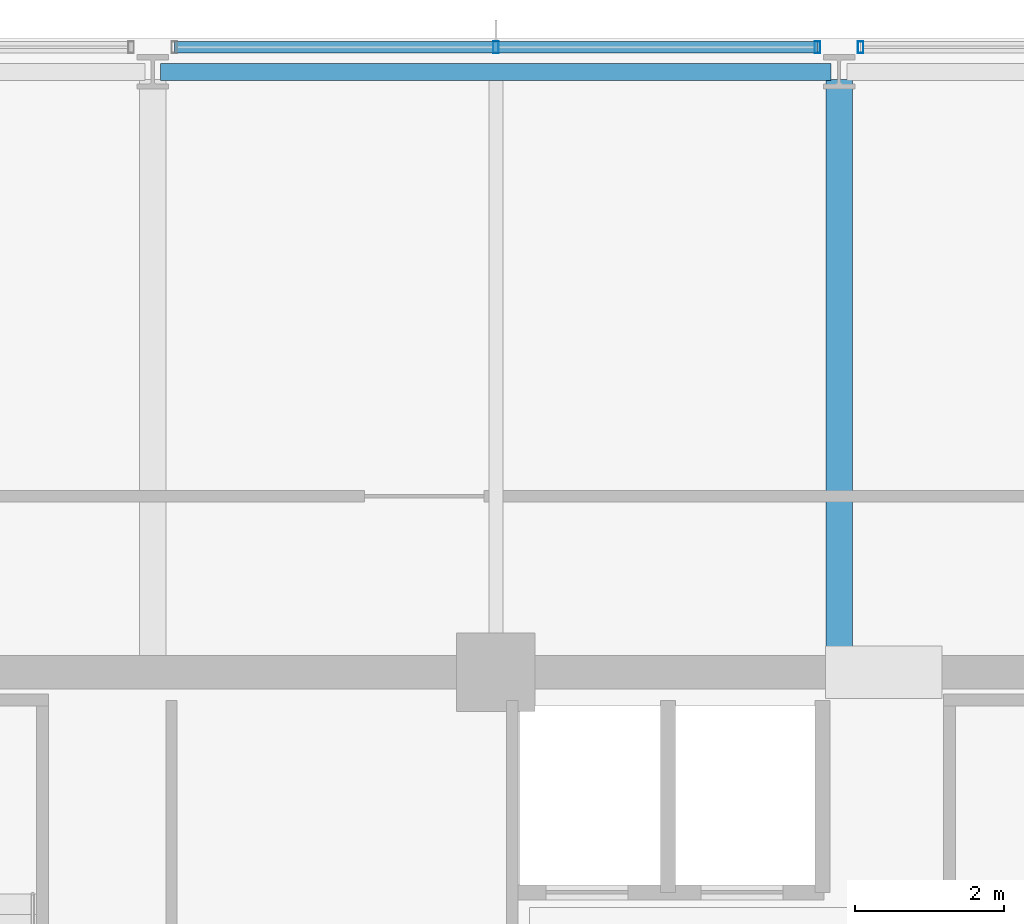
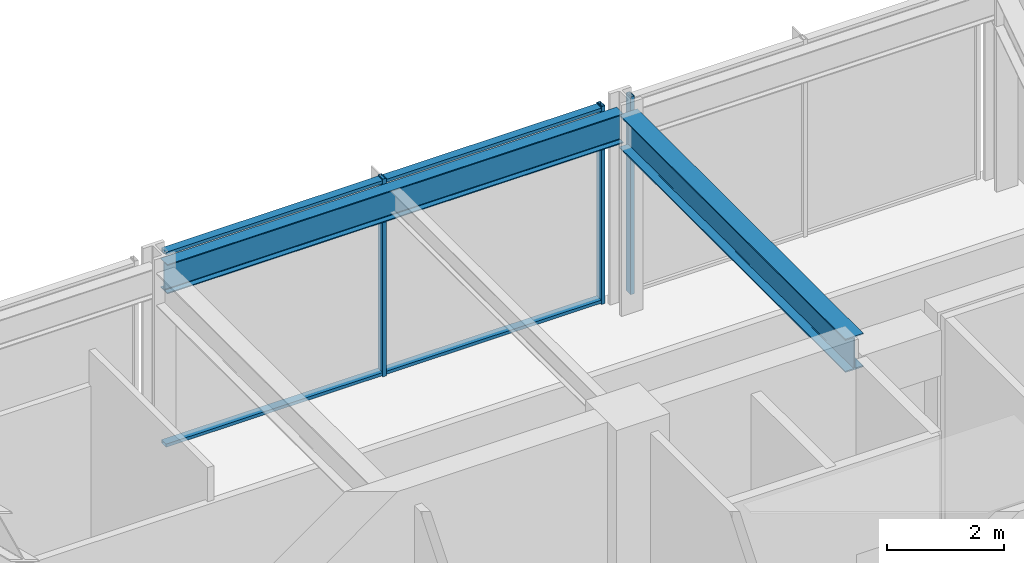
# One storey, part 16 of 26: 5 members, 2 beams, 2 elements without a shape of their own.
"""IFC4 building model written with IfcOpenShell, lengths in metres."""

import ifcopenshell
import ifcopenshell.guid

model = None  # the IFC model being written
_history = None  # IfcOwnerHistory: only IFC2X3 demands one
_inside = {}  # id of a spatial element -> (the spatial element, [elements in it])
_under = {}  # id of a project, library or spatial element -> (it, [spatial elements below it])
_declared = {}  # id of a project -> (the project, [libraries it declares])
_typed = {}  # id of a type object -> (the type object, [elements of that type])
_made_of = {}  # id of a material, layer set ... -> (it, [elements and type objects made of it])


def new_model(schema):
    """Start an empty IFC model of exactly this schema.

    Asked for "IFC4X3", IfcOpenShell would pick the latest addendum, in which some entities
    have other attributes; the version numbers below select the first issue.
    IFC2X3 requires an IfcOwnerHistory on every rooted entity: one is made here for all.
    """
    global model, _history
    if schema == "IFC4X3":
        model = ifcopenshell.file(schema_version=(4, 3, 0, 0))
    else:
        model = ifcopenshell.file(schema=schema)
    _inside.clear()
    _under.clear()
    _declared.clear()
    _typed.clear()
    _made_of.clear()
    _history = None
    if model.schema == "IFC2X3":
        org = make("IfcOrganization", Name="unknown")
        user = make(
            "IfcPersonAndOrganization",
            ThePerson=make("IfcPerson", FamilyName="unknown"),
            TheOrganization=org,
        )
        app = make(
            "IfcApplication",
            ApplicationDeveloper=org,
            Version="unknown",
            ApplicationFullName="unknown",
            ApplicationIdentifier="unknown",
        )
        _history = make(
            "IfcOwnerHistory",
            OwningUser=user,
            OwningApplication=app,
            ChangeAction="ADDED",
            CreationDate=0,
        )
    return model


def make(cls, **values):
    """One entity of the class cls with the attributes given. An attribute that is None is left unset."""
    return model.create_entity(
        cls, **{name: value for name, value in values.items() if value is not None}
    )


def rooted(cls, **values):
    """An entity with a GlobalId (a new one), such as an element, a storey or a relation."""
    return make(cls, GlobalId=ifcopenshell.guid.new(), OwnerHistory=_history, **values)


def si_unit(unit_type, name, prefix=None):
    """IfcSIUnit, for example si_unit("LENGTHUNIT", "METRE", prefix="MILLI")."""
    return make("IfcSIUnit", UnitType=unit_type, Prefix=prefix, Name=name)


def assignment(units):
    """IfcUnitAssignment: the units of a project."""
    return None if units is None else make("IfcUnitAssignment", Units=units)


def point(xyz):
    """IfcCartesianPoint."""
    return None if xyz is None else make("IfcCartesianPoint", Coordinates=xyz)


def direction(xyz):
    """IfcDirection."""
    return None if xyz is None else make("IfcDirection", DirectionRatios=xyz)


def frame(location, z_axis=None, x_axis=None):
    """IfcAxis2Placement3D, a coordinate frame: its origin and axes. An axis left out is left unset."""
    return make(
        "IfcAxis2Placement3D",
        Location=point(location),
        Axis=direction(z_axis),
        RefDirection=direction(x_axis),
    )


def frame_2d(location, x_axis=None):
    """IfcAxis2Placement2D, a coordinate frame in the plane: its origin and x axis."""
    return make(
        "IfcAxis2Placement2D", Location=point(location), RefDirection=direction(x_axis)
    )


def origin():
    """The frame at (0, 0, 0) with its axes left unset."""
    return frame((0.0, 0.0, 0.0))


def origin_2d():
    """The frame at (0, 0) in the plane with its x axis left unset."""
    return frame_2d((0.0, 0.0))


def place(relative_to, where):
    """IfcLocalPlacement: puts the frame where relative to a parent placement (None: the world)."""
    return make(
        "IfcLocalPlacement", PlacementRelTo=relative_to, RelativePlacement=where
    )


def context(
    kind, dimensions, precision=None, world=None, true_north=None, identifier=None
):
    """IfcGeometricRepresentationContext, for example the 3D "Model" context."""
    return make(
        "IfcGeometricRepresentationContext",
        ContextIdentifier=identifier,
        ContextType=kind,
        CoordinateSpaceDimension=dimensions,
        Precision=precision,
        WorldCoordinateSystem=world,
        TrueNorth=true_north,
    )


def subcontext(parent, identifier, kind, view, scale=None):
    """IfcGeometricRepresentationSubContext, for example "Body" below "Model"."""
    return make(
        "IfcGeometricRepresentationSubContext",
        ContextIdentifier=identifier,
        ContextType=kind,
        ParentContext=parent,
        TargetScale=scale,
        TargetView=view,
    )


def project(units=None, contexts=None):
    """IfcProject with its units and contexts."""
    return rooted(
        "IfcProject",
        Name="project",
        RepresentationContexts=contexts,
        UnitsInContext=assignment(units),
    )


def spatial(cls, under=None, at=None, **own):
    """A site, building, storey or space (cls), placed at a placement, below another one or the project."""
    s = rooted(cls, ObjectPlacement=at, **own)
    if under is not None:
        _under.setdefault(under.id(), (under, []))[1].append(s)
    return s


def profile(cls, at=None, kind="AREA", **sizes):
    """A parametric profile (cls). Its sizes go by their IFC names, for example OverallWidth=200.0."""
    return make(cls, ProfileType=kind, Position=at, **sizes)


def hollow_rectangle(**sizes):
    """IfcRectangleHollowProfileDef."""
    return profile("IfcRectangleHollowProfileDef", **sizes)


def i_section(**sizes):
    """IfcIShapeProfileDef."""
    return profile("IfcIShapeProfileDef", **sizes)


def extrude(swept, where, along, depth):
    """IfcExtrudedAreaSolid: the profile swept, set in the frame where, extruded along a direction by depth."""
    return make(
        "IfcExtrudedAreaSolid",
        SweptArea=swept,
        Position=where,
        ExtrudedDirection=direction(along),
        Depth=depth,
    )


def shape(context_of_items, identifier, shape_type, items):
    """IfcShapeRepresentation: the items that make up one representation, for example the "Body"."""
    return make(
        "IfcShapeRepresentation",
        ContextOfItems=context_of_items,
        RepresentationIdentifier=identifier,
        RepresentationType=shape_type,
        Items=items,
    )


def material(Name=None, Category=None):
    """IfcMaterial."""
    return make("IfcMaterial", Name=Name, Category=Category)


def material_profile(
    of_material, cross_section, Name=None, Category=None, Priority=None
):
    """IfcMaterialProfile: a cross section and its material."""
    return make(
        "IfcMaterialProfile",
        Name=Name,
        Material=of_material,
        Profile=cross_section,
        Priority=Priority,
        Category=Category,
    )


def profile_set(profiles, Name=None, composite=None):
    """IfcMaterialProfileSet."""
    return make(
        "IfcMaterialProfileSet",
        Name=Name,
        MaterialProfiles=profiles,
        CompositeProfile=composite,
    )


def made_of(thing, what):
    """Note that an element or type object is made of a material, layer set ...; save() writes the relation."""
    if what is not None:
        _made_of.setdefault(what.id(), (what, []))[1].append(thing)
    return thing


def type_object(cls, material=None, **own):
    """A type object (cls), such as IfcWallType, which elements share."""
    return made_of(rooted(cls, **own), material)


def element(
    cls,
    number,
    at=None,
    inside=None,
    cuts=None,
    type_object=None,
    material=None,
    context=None,
    identifier="Body",
    shape_type=None,
    held_by="IfcProductDefinitionShape",
    body=None,
    shapes=None,
    **own,
):
    """One element of the class cls, such as IfcWall. Its Tag is "e" and its number.

    at: its placement. inside: the storey or other place that contains it. cuts: it is an
    opening in that element (IfcRelVoidsElement). A single representation is given by context,
    identifier, shape_type and body (its items); several are given by shapes. held_by: the class
    of the entity that holds the representations. save() writes the other relations.
    """
    e = rooted(cls, Tag="e%d" % number, ObjectPlacement=at, **own)
    if body is not None:
        shapes = [shape(context, identifier, shape_type, body)]
    if shapes is not None:
        e.Representation = make(held_by, Representations=shapes)
    if inside is not None:
        _inside.setdefault(inside.id(), (inside, []))[1].append(e)
    if cuts is not None:
        rooted(
            "IfcRelVoidsElement", RelatingBuildingElement=cuts, RelatedOpeningElement=e
        )
    if type_object is not None:
        _typed.setdefault(type_object.id(), (type_object, []))[1].append(e)
    return made_of(e, material)


def aggregate(whole, parts):
    """IfcRelAggregates: a whole, such as a stair, and the parts it consists of."""
    return rooted("IfcRelAggregates", RelatingObject=whole, RelatedObjects=parts)


def save(model, path):
    """Write the relations noted so far, then the file.

    IfcRelAggregates (storeys below a building ...), IfcRelContainedInSpatialStructure (elements
    in a storey), IfcRelDefinesByType, IfcRelAssociatesMaterial and IfcRelDeclares: one each for
    every whole, place, type object, material and project.
    """
    for whole, parts in _under.values():
        aggregate(whole, parts)
    for where, things in _inside.values():
        rooted(
            "IfcRelContainedInSpatialStructure",
            RelatedElements=things,
            RelatingStructure=where,
        )
    for kind, things in _typed.values():
        rooted("IfcRelDefinesByType", RelatedObjects=things, RelatingType=kind)
    for what, things in _made_of.values():
        rooted("IfcRelAssociatesMaterial", RelatedObjects=things, RelatingMaterial=what)
    for by, libraries in _declared.values():
        rooted("IfcRelDeclares", RelatingContext=by, RelatedDefinitions=libraries)
    model.write(path)


model = new_model("IFC4")

# Units and contexts
model_context = context("Model", 3, precision=1e-05, world=origin(), true_north=direction((0.0, 1.0)))
body_context = subcontext(model_context, "Body", "Model", "MODEL_VIEW")
ifc_project = project(units=[si_unit("LENGTHUNIT", "METRE"), si_unit("AREAUNIT", "SQUARE_METRE"), si_unit("VOLUMEUNIT", "CUBIC_METRE"), si_unit("PLANEANGLEUNIT", "RADIAN"), si_unit("MASSUNIT", "GRAM", prefix="KILO")], contexts=[model_context])

# Site, building, storey
site_placement = place(None, origin())
site = spatial("IfcSite", under=ifc_project, at=site_placement, CompositionType="ELEMENT")
building_placement = place(site_placement, origin())
building = spatial("IfcBuilding", under=site, at=building_placement, Name="Kolvaren Belvedere", CompositionType="ELEMENT")
storey_placement = place(building_placement, frame((0.0, 0.0, 258.39990234375)))
storey = spatial("IfcBuildingStorey", under=building, at=storey_placement, Name="L75", CompositionType="ELEMENT", Elevation=258.39990234375)

# Beams
ifc_material_1 = material(Name="Structural steel ASTM A992 Grade 50", Category="steel")
ifc_material_profile_1 = material_profile(ifc_material_1, i_section(OverallWidth=0.35498046875, OverallDepth=0.696044921875, WebThickness=0.015380859375, FlangeThickness=0.02490234375, FilletRadius=0.02197265625, at=origin_2d()), Name="W27X146")
ifc_profile_set_1 = profile_set([ifc_material_profile_1], Name="Structural steel ASTM A992 Grade 50")
beam_type_1 = type_object("IfcBeamType", Name="BM-GIRD-W27X146", PredefinedType="BEAM", material=ifc_profile_set_1)
beam_1_placement = place(storey_placement, frame((4.60009765625, 10.125, 3.772216796875), z_axis=(0.0, 1.0, 0.0), x_axis=(-1.0, 0.0, 0.0)))
element("IfcBeam", 1, at=beam_1_placement, inside=storey, type_object=beam_type_1, Name="L75 North Radial Girder P", PredefinedType="BEAM", context=body_context, shape_type="SweptSolid", body=[
    extrude(i_section(OverallWidth=0.35498046875, OverallDepth=0.696044921875, WebThickness=0.015380859375, FlangeThickness=0.02490234375, FilletRadius=0.02197265625, at=origin_2d()), origin(), (0.0, 0.0, 1.0), 7.720458984375),
])
ifc_material_2 = material(Name="Structural steel ASTM A992 Grade 50", Category="steel")
ifc_material_profile_2 = material_profile(ifc_material_2, i_section(OverallWidth=0.22900390625, OverallDepth=0.612060546875, WebThickness=0.011962890625, FlangeThickness=0.01953125, FilletRadius=0.01806640625, at=origin_2d()), Name="W24X84")
ifc_profile_set_2 = profile_set([ifc_material_profile_2], Name="Structural steel ASTM A992 Grade 50")
beam_type_2 = type_object("IfcBeamType", Name="BM-SPAN-W24X84", PredefinedType="SPANDREL", material=ifc_profile_set_2)
beam_2_placement = place(storey_placement, frame((4.495361328125, 17.949951171875, 3.814208984375), z_axis=(-1.0, 0.0, 0.0), x_axis=(0.0, -1.0, 0.0)))
element("IfcBeam", 2, at=beam_2_placement, inside=storey, type_object=beam_type_2, Name="L75 Perimeter Spandrel N3-N2", PredefinedType="SPANDREL", context=body_context, shape_type="SweptSolid", body=[
    extrude(i_section(OverallWidth=0.22900390625, OverallDepth=0.612060546875, WebThickness=0.011962890625, FlangeThickness=0.01953125, FilletRadius=0.01806640625, at=origin_2d()), origin(), (0.0, 0.0, 1.0), 8.99072265625),
])

# Curtain wall, members
ifc_material_3 = material(Name="Anodised pale-metal aluminium AA 6063-T6", Category="aluminium")
curtain_wall_type = type_object("IfcCurtainWallType", Name="CW-CRN-OBS", PredefinedType="NOTDEFINED", material=ifc_material_3)
curtain_wall_1_placement = place(storey_placement, origin())
curtain_wall_1 = element("IfcCurtainWall", 3, at=curtain_wall_1_placement, inside=storey, type_object=curtain_wall_type, Name="L75 Unitised Curtain Wall FCW-L75-N-B2", PredefinedType="NOTDEFINED")
ifc_material_4 = material(Name="Anodised pale-metal aluminium AA 6063-T6", Category="aluminium")
ifc_material_profile_3 = material_profile(ifc_material_4, hollow_rectangle(XDim=0.074951171875, YDim=0.159912109375, WallThickness=0.00439453125, at=origin_2d()), Name="ALU-MUL-160X75")
ifc_profile_set_3 = profile_set([ifc_material_profile_3], Name="Anodised pale-metal aluminium AA 6063-T6")
member_type_1 = type_object("IfcMemberType", Name="CW-MUL-160", PredefinedType="MULLION", material=ifc_profile_set_3)
member_1_placement = place(storey_placement, frame((0.0, 18.280029296875, 0.0), z_axis=(0.0, 0.0, 1.0), x_axis=(1.0, 0.0, 0.0)))
member_1 = element("IfcMember", 4, at=member_1_placement, type_object=member_type_1, Name="FCW-L75-N-B2 Unitised Mullion 2", PredefinedType="MULLION", context=body_context, shape_type="SweptSolid", body=[
    extrude(hollow_rectangle(XDim=0.074951171875, YDim=0.159912109375, WallThickness=0.00439453125, at=origin_2d()), origin(), (0.0, 0.0, 1.0), 4.1201171875),
])
member_2_placement = place(storey_placement, frame((4.31005859375, 18.280029296875, 0.0), z_axis=(0.0, 0.0, 1.0), x_axis=(1.0, 0.0, 0.0)))
member_2 = element("IfcMember", 5, at=member_2_placement, type_object=member_type_1, Name="FCW-L75-N-B2 Unitised Mullion 3", PredefinedType="MULLION", context=body_context, shape_type="SweptSolid", body=[
    extrude(hollow_rectangle(XDim=0.074951171875, YDim=0.159912109375, WallThickness=0.00439453125, at=origin_2d()), origin(), (0.0, 0.0, 1.0), 4.1201171875),
])

# Curtain wall, member
curtain_wall_2_placement = place(storey_placement, origin())
curtain_wall_2 = element("IfcCurtainWall", 6, at=curtain_wall_2_placement, inside=storey, type_object=curtain_wall_type, Name="L75 Unitised Curtain Wall FCW-L75-N-B3", PredefinedType="NOTDEFINED")
member_3_placement = place(storey_placement, frame((4.889892578125, 18.280029296875, 0.0), z_axis=(0.0, 0.0, 1.0), x_axis=(1.0, 0.0, 0.0)))
member_3 = element("IfcMember", 7, at=member_3_placement, type_object=member_type_1, Name="FCW-L75-N-B3 Unitised Mullion 1", PredefinedType="MULLION", context=body_context, shape_type="SweptSolid", body=[
    extrude(hollow_rectangle(XDim=0.074951171875, YDim=0.159912109375, WallThickness=0.00439453125, at=origin_2d()), origin(), (0.0, 0.0, 1.0), 4.1201171875),
])
aggregate(curtain_wall_2, [member_3])

# Member
ifc_material_5 = material(Name="Anodised pale-metal aluminium AA 6063-T6", Category="aluminium")
ifc_material_profile_4 = material_profile(ifc_material_5, hollow_rectangle(XDim=0.06494140625, YDim=0.159912109375, WallThickness=0.00390625, at=origin_2d()), Name="ALU-TRN-160X65")
ifc_profile_set_4 = profile_set([ifc_material_profile_4], Name="Anodised pale-metal aluminium AA 6063-T6")
member_type_2 = type_object("IfcMemberType", Name="CW-TRN-160", PredefinedType="USERDEFINED", material=ifc_profile_set_4)
member_4_placement = place(storey_placement, frame((-4.31005859375, 18.280029296875, 0.06005859375), z_axis=(1.0, 0.0, 0.0), x_axis=(0.0, 0.0, 1.0)))
member_4 = element("IfcMember", 8, at=member_4_placement, type_object=member_type_2, Name="FCW-L75-N-B2 Sill Transom", ObjectType="TRANSOM", PredefinedType="USERDEFINED", context=body_context, shape_type="SweptSolid", body=[
    extrude(hollow_rectangle(XDim=0.06494140625, YDim=0.159912109375, WallThickness=0.00390625, at=origin_2d()), origin(), (0.0, 0.0, 1.0), 8.6201171875),
])

member_5_placement = place(storey_placement, frame((-4.31005859375, 18.280029296875, 4.06005859375), z_axis=(1.0, 0.0, 0.0), x_axis=(0.0, 0.0, 1.0)))
member_5 = element("IfcMember", 9, at=member_5_placement, type_object=member_type_2, Name="FCW-L75-N-B2 Head Transom", ObjectType="TRANSOM", PredefinedType="USERDEFINED", context=body_context, shape_type="SweptSolid", body=[
    extrude(hollow_rectangle(XDim=0.06494140625, YDim=0.159912109375, WallThickness=0.00390625, at=origin_2d()), origin(), (0.0, 0.0, 1.0), 8.6201171875),
])

aggregate(curtain_wall_1, [member_1, member_2, member_4, member_5])

save(model, "model.ifc")
